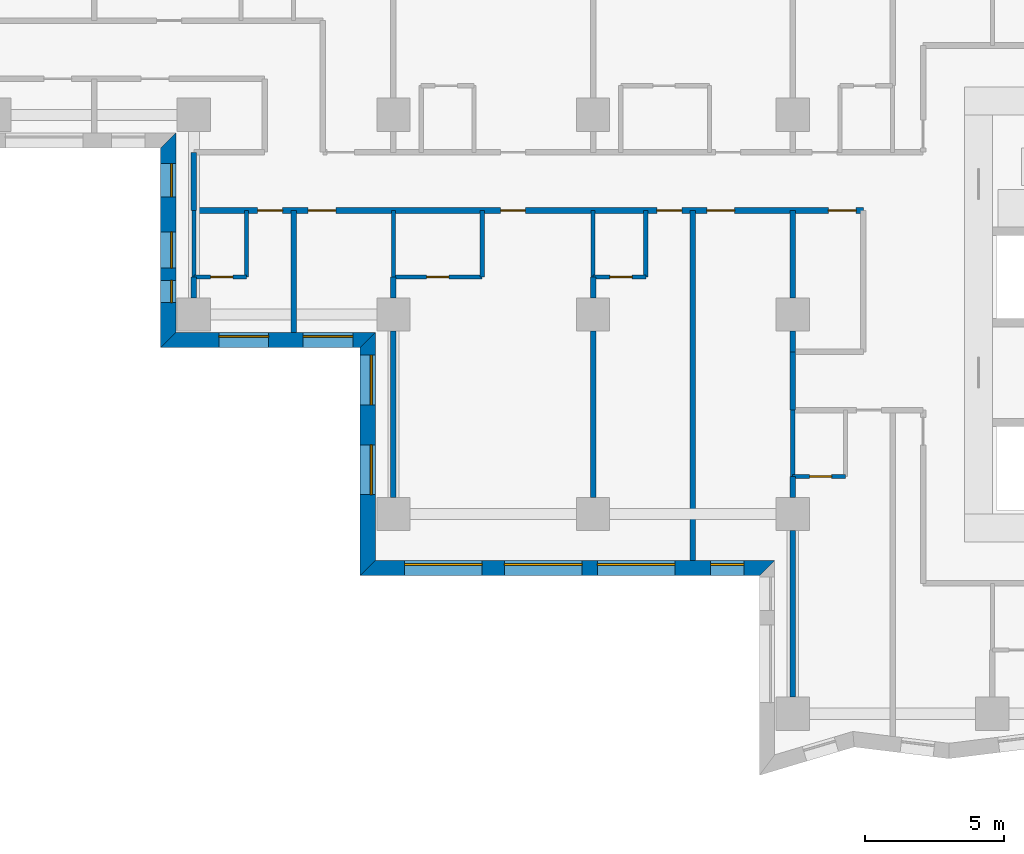
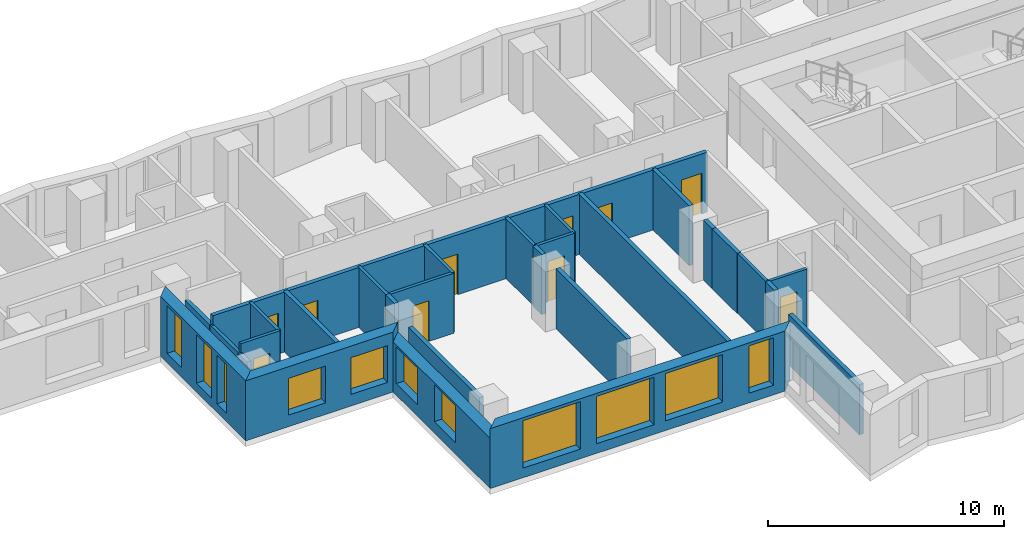
# One storey, part 3 of 13: 29 walls, 11 windows, 10 doors, 21 openings.
"""IFC4 building model written with IfcOpenShell, lengths in metres."""

from ifc_helpers import new_model, si_unit, direction, frame, frame_2d, origin, place, context, subcontext, project, spatial, polyline, rectangle, outline, extrude, material, layer, layer_set, type_object, element, fill, save


model = new_model("IFC4")

# Units and contexts
model_context = context("Model", 3, precision=1e-05, world=origin(), true_north=direction((0.0, 1.0)))
body_context = subcontext(model_context, "Body", "Model", "MODEL_VIEW")
ifc_project = project(units=[si_unit("LENGTHUNIT", "METRE"), si_unit("AREAUNIT", "SQUARE_METRE"), si_unit("VOLUMEUNIT", "CUBIC_METRE"), si_unit("PLANEANGLEUNIT", "RADIAN"), si_unit("MASSUNIT", "GRAM", prefix="KILO")], contexts=[model_context])

# Site, building, storey
site_placement = place(None, origin())
site = spatial("IfcSite", under=ifc_project, at=site_placement, CompositionType="ELEMENT")
building_placement = place(site_placement, origin())
building = spatial("IfcBuilding", under=site, at=building_placement, Name="Windrow Commons", CompositionType="ELEMENT")
storey_placement = place(building_placement, frame((0.0, 0.0, 40.6)))
storey = spatial("IfcBuildingStorey", under=building, at=storey_placement, Name="L10", CompositionType="ELEMENT", Elevation=40.6)

# Wall, openings, windows
ifc_material_1 = material(Name="Brick masonry, red clay brick", Category="masonry")
ifc_layer_1 = layer(ifc_material_1, 0.55)
ifc_layer_set_1 = layer_set([ifc_layer_1], Name="Brick facade wall 550")
wall_type_1 = type_object("IfcWallType", Name="Brick facade wall 550", PredefinedType="SOLIDWALL", material=ifc_layer_set_1)
wall_1_placement = place(storey_placement, frame((27.875, 63.875, 0.0), z_axis=(0.0, 0.0, 1.0), x_axis=(0.0, -1.0, 0.0)))
wall_1 = element("IfcWall", 1, at=wall_1_placement, inside=storey, type_object=wall_type_1, Name="Brick facade wall L10 41", PredefinedType="SOLIDWALL", context=body_context, shape_type="SweptSolid", body=[
    extrude(outline(polyline([(0.275, -0.275), (7.475, -0.275), (6.925, 0.275), (-0.275, 0.275), (0.275, -0.275)])), origin(), (0.0, 0.0, 1.0), 3.1),
])
opening_1_placement = place(wall_1_placement, frame((0.8375, 0.0, 0.5)))
opening_1 = element("IfcOpeningElement", 2, at=opening_1_placement, cuts=wall_1, Name="Opening W7D", PredefinedType="OPENING", context=body_context, shape_type="SweptSolid", body=[
    extrude(rectangle(XDim=1.2, YDim=2.45, at=frame_2d((0.6, 1.225))), frame((0.0, 0.285, 0.0), z_axis=(0.0, -1.0, 0.0), x_axis=(1.0, 0.0, 0.0)), (0.0, 0.0, 1.0), 0.57),
])
opening_2_placement = place(wall_1_placement, frame((3.3, 0.0, 0.45)))
opening_2 = element("IfcOpeningElement", 3, at=opening_2_placement, cuts=wall_1, Name="Opening W1Q", PredefinedType="OPENING", context=body_context, shape_type="SweptSolid", body=[
    extrude(rectangle(XDim=1.3, YDim=2.5, at=frame_2d((0.65, 1.25))), frame((0.0, 0.285, 0.0), z_axis=(0.0, -1.0, 0.0), x_axis=(1.0, 0.0, 0.0)), (0.0, 0.0, 1.0), 0.57),
])
opening_3_placement = place(wall_1_placement, frame((5.05, 0.0, 0.45)))
opening_3 = element("IfcOpeningElement", 4, at=opening_3_placement, cuts=wall_1, Name="Opening W1N", PredefinedType="OPENING", context=body_context, shape_type="SweptSolid", body=[
    extrude(rectangle(XDim=0.8, YDim=2.5, at=frame_2d((0.4, 1.25))), frame((0.0, 0.285, 0.0), z_axis=(0.0, -1.0, 0.0), x_axis=(1.0, 0.0, 0.0)), (0.0, 0.0, 1.0), 0.57),
])
ifc_material_2 = material(Name="Clear float glass in anodised aluminium frame", Category="aluminium")
window_type_1 = type_object("IfcWindowType", Name="Window W1N slit 800x2500", PartitioningType="SINGLE_PANEL", PredefinedType="WINDOW", material=ifc_material_2)
window_1_placement = place(opening_3_placement, origin())
window_1 = element("IfcWindow", 5, at=window_1_placement, inside=storey, type_object=window_type_1, Name="Window L10 41.1B", OverallHeight=2.5, OverallWidth=0.8, PartitioningType="SINGLE_PANEL", PredefinedType="WINDOW", context=body_context, shape_type="SweptSolid", body=[
    extrude(rectangle(XDim=0.8, YDim=2.5, at=frame_2d((0.4, 1.25))), frame((0.0, 0.155, 0.0), z_axis=(0.0, -1.0, 0.0), x_axis=(1.0, 0.0, 0.0)), (0.0, 0.0, 1.0), 0.06),
])
fill(opening_3, window_1)
ifc_material_3 = material(Name="Clear float glass in anodised aluminium frame", Category="aluminium")
window_type_2 = type_object("IfcWindowType", Name="Window W1Q pair 1300x2500", PartitioningType="SINGLE_PANEL", PredefinedType="WINDOW", material=ifc_material_3)
window_2_placement = place(opening_2_placement, origin())
window_2 = element("IfcWindow", 6, at=window_2_placement, inside=storey, type_object=window_type_2, Name="Window L10 41.1A", OverallHeight=2.5, OverallWidth=1.3, PartitioningType="SINGLE_PANEL", PredefinedType="WINDOW", context=body_context, shape_type="SweptSolid", body=[
    extrude(rectangle(XDim=1.3, YDim=2.5, at=frame_2d((0.65, 1.25))), frame((0.0, 0.155, 0.0), z_axis=(0.0, -1.0, 0.0), x_axis=(1.0, 0.0, 0.0)), (0.0, 0.0, 1.0), 0.06),
])
fill(opening_2, window_2)
ifc_material_4 = material(Name="Clear float glass in anodised aluminium frame", Category="aluminium")
window_type_3 = type_object("IfcWindowType", Name="Window W7 notch 1200x2450", PartitioningType="SINGLE_PANEL", PredefinedType="WINDOW", material=ifc_material_4)
window_3_placement = place(opening_1_placement, origin())
window_3 = element("IfcWindow", 7, at=window_3_placement, inside=storey, type_object=window_type_3, Name="Window L10 41.2", OverallHeight=2.45, OverallWidth=1.2, PartitioningType="SINGLE_PANEL", PredefinedType="WINDOW", context=body_context, shape_type="SweptSolid", body=[
    extrude(rectangle(XDim=1.2, YDim=2.45, at=frame_2d((0.6, 1.225))), frame((0.0, 0.155, 0.0), z_axis=(0.0, -1.0, 0.0), x_axis=(1.0, 0.0, 0.0)), (0.0, 0.0, 1.0), 0.06),
])
fill(opening_1, window_3)

wall_2_placement = place(storey_placement, frame((27.875, 56.675, 0.0), z_axis=(0.0, 0.0, 1.0), x_axis=(1.0, 0.0, 0.0)))
wall_2 = element("IfcWall", 8, at=wall_2_placement, inside=storey, type_object=wall_type_1, Name="Brick facade wall L10 42", PredefinedType="SOLIDWALL", context=body_context, shape_type="SweptSolid", body=[
    extrude(outline(polyline([(-0.275, -0.275), (6.925, -0.275), (7.475, 0.275), (0.275, 0.275), (-0.275, -0.275)])), origin(), (0.0, 0.0, 1.0), 3.1),
])
opening_4_placement = place(wall_2_placement, frame((1.825, 0.0, 0.6)))
opening_4 = element("IfcOpeningElement", 9, at=opening_4_placement, cuts=wall_2, Name="Opening W1L", PredefinedType="OPENING", context=body_context, shape_type="SweptSolid", body=[
    extrude(rectangle(XDim=1.8, YDim=1.9, at=frame_2d((0.9, 0.95))), frame((0.0, 0.285, 0.0), z_axis=(0.0, -1.0, 0.0), x_axis=(1.0, 0.0, 0.0)), (0.0, 0.0, 1.0), 0.57),
])
opening_5_placement = place(wall_2_placement, frame((4.8625, 0.0, 0.6)))
opening_5 = element("IfcOpeningElement", 10, at=opening_5_placement, cuts=wall_2, Name="Opening W1L", PredefinedType="OPENING", context=body_context, shape_type="SweptSolid", body=[
    extrude(rectangle(XDim=1.8, YDim=1.9, at=frame_2d((0.9, 0.95))), frame((0.0, 0.285, 0.0), z_axis=(0.0, -1.0, 0.0), x_axis=(1.0, 0.0, 0.0)), (0.0, 0.0, 1.0), 0.57),
])
ifc_material_5 = material(Name="Clear float glass in anodised aluminium frame", Category="aluminium")
window_type_4 = type_object("IfcWindowType", Name="Window W1L bedroom 1800x1900", PartitioningType="SINGLE_PANEL", PredefinedType="WINDOW", material=ifc_material_5)
window_4_placement = place(opening_4_placement, origin())
window_4 = element("IfcWindow", 11, at=window_4_placement, inside=storey, type_object=window_type_4, Name="Window L10 42.1", OverallHeight=1.9, OverallWidth=1.8, PartitioningType="SINGLE_PANEL", PredefinedType="WINDOW", context=body_context, shape_type="SweptSolid", body=[
    extrude(rectangle(XDim=1.8, YDim=1.9, at=frame_2d((0.9, 0.95))), frame((0.0, 0.155, 0.0), z_axis=(0.0, -1.0, 0.0), x_axis=(1.0, 0.0, 0.0)), (0.0, 0.0, 1.0), 0.06),
])
fill(opening_4, window_4)
window_5_placement = place(opening_5_placement, origin())
window_5 = element("IfcWindow", 12, at=window_5_placement, inside=storey, type_object=window_type_4, Name="Window L10 42.2", OverallHeight=1.9, OverallWidth=1.8, PartitioningType="SINGLE_PANEL", PredefinedType="WINDOW", context=body_context, shape_type="SweptSolid", body=[
    extrude(rectangle(XDim=1.8, YDim=1.9, at=frame_2d((0.9, 0.95))), frame((0.0, 0.155, 0.0), z_axis=(0.0, -1.0, 0.0), x_axis=(1.0, 0.0, 0.0)), (0.0, 0.0, 1.0), 0.06),
])
fill(opening_5, window_5)

wall_3_placement = place(storey_placement, frame((35.075, 56.675, 0.0), z_axis=(0.0, 0.0, 1.0), x_axis=(0.0, -1.0, 0.0)))
wall_3 = element("IfcWall", 13, at=wall_3_placement, inside=storey, type_object=wall_type_1, Name="Brick facade wall L10 43", PredefinedType="SOLIDWALL", context=body_context, shape_type="SweptSolid", body=[
    extrude(outline(polyline([(0.275, -0.275), (8.496, -0.275), (7.946, 0.275), (-0.275, 0.275), (0.275, -0.275)])), origin(), (0.0, 0.0, 1.0), 2.6),
])
opening_6_placement = place(wall_3_placement, frame((0.5375, 0.0, 0.6)))
opening_6 = element("IfcOpeningElement", 14, at=opening_6_placement, cuts=wall_3, Name="Opening W1L", PredefinedType="OPENING", context=body_context, shape_type="SweptSolid", body=[
    extrude(rectangle(XDim=1.8, YDim=1.9, at=frame_2d((0.9, 0.95))), frame((0.0, 0.285, 0.0), z_axis=(0.0, -1.0, 0.0), x_axis=(1.0, 0.0, 0.0)), (0.0, 0.0, 1.0), 0.57),
])
opening_7_placement = place(wall_3_placement, frame((3.775, 0.0, 0.6)))
opening_7 = element("IfcOpeningElement", 15, at=opening_7_placement, cuts=wall_3, Name="Opening W1L", PredefinedType="OPENING", context=body_context, shape_type="SweptSolid", body=[
    extrude(rectangle(XDim=1.8, YDim=1.9, at=frame_2d((0.9, 0.95))), frame((0.0, 0.285, 0.0), z_axis=(0.0, -1.0, 0.0), x_axis=(1.0, 0.0, 0.0)), (0.0, 0.0, 1.0), 0.57),
])
window_6_placement = place(opening_6_placement, origin())
window_6 = element("IfcWindow", 16, at=window_6_placement, inside=storey, type_object=window_type_4, Name="Window L10 43.1", OverallHeight=1.9, OverallWidth=1.8, PartitioningType="SINGLE_PANEL", PredefinedType="WINDOW", context=body_context, shape_type="SweptSolid", body=[
    extrude(rectangle(XDim=1.8, YDim=1.9, at=frame_2d((0.9, 0.95))), frame((0.0, 0.155, 0.0), z_axis=(0.0, -1.0, 0.0), x_axis=(1.0, 0.0, 0.0)), (0.0, 0.0, 1.0), 0.06),
])
fill(opening_6, window_6)
window_7_placement = place(opening_7_placement, origin())
window_7 = element("IfcWindow", 17, at=window_7_placement, inside=storey, type_object=window_type_4, Name="Window L10 43.2", OverallHeight=1.9, OverallWidth=1.8, PartitioningType="SINGLE_PANEL", PredefinedType="WINDOW", context=body_context, shape_type="SweptSolid", body=[
    extrude(rectangle(XDim=1.8, YDim=1.9, at=frame_2d((0.9, 0.95))), frame((0.0, 0.155, 0.0), z_axis=(0.0, -1.0, 0.0), x_axis=(1.0, 0.0, 0.0)), (0.0, 0.0, 1.0), 0.06),
])
fill(opening_7, window_7)

wall_4_placement = place(storey_placement, frame((35.075, 48.454, 0.0), z_axis=(0.0, 0.0, 1.0), x_axis=(1.0, 0.0, 0.0)))
wall_4 = element("IfcWall", 18, at=wall_4_placement, inside=storey, type_object=wall_type_1, Name="Brick facade wall L10 44", PredefinedType="SOLIDWALL", context=body_context, shape_type="SweptSolid", body=[
    extrude(outline(polyline([(-0.275, -0.275), (14.125, -0.275), (14.675, 0.275), (0.275, 0.275), (-0.275, -0.275)])), origin(), (0.0, 0.0, 1.0), 3.1),
])
opening_8_placement = place(wall_4_placement, frame((1.325, 0.0, 0.5)))
opening_8 = element("IfcOpeningElement", 19, at=opening_8_placement, cuts=wall_4, Name="Opening W1T", PredefinedType="OPENING", context=body_context, shape_type="SweptSolid", body=[
    extrude(rectangle(XDim=2.8, YDim=2.45, at=frame_2d((1.4, 1.225))), frame((0.0, 0.285, 0.0), z_axis=(0.0, -1.0, 0.0), x_axis=(1.0, 0.0, 0.0)), (0.0, 0.0, 1.0), 0.57),
])
opening_9_placement = place(wall_4_placement, frame((4.925, 0.0, 0.5)))
opening_9 = element("IfcOpeningElement", 20, at=opening_9_placement, cuts=wall_4, Name="Opening W1T", PredefinedType="OPENING", context=body_context, shape_type="SweptSolid", body=[
    extrude(rectangle(XDim=2.8, YDim=2.45, at=frame_2d((1.4, 1.225))), frame((0.0, 0.285, 0.0), z_axis=(0.0, -1.0, 0.0), x_axis=(1.0, 0.0, 0.0)), (0.0, 0.0, 1.0), 0.57),
])
opening_10_placement = place(wall_4_placement, frame((8.275, 0.0, 0.5)))
opening_10 = element("IfcOpeningElement", 21, at=opening_10_placement, cuts=wall_4, Name="Opening W1T", PredefinedType="OPENING", context=body_context, shape_type="SweptSolid", body=[
    extrude(rectangle(XDim=2.8, YDim=2.45, at=frame_2d((1.4, 1.225))), frame((0.0, 0.285, 0.0), z_axis=(0.0, -1.0, 0.0), x_axis=(1.0, 0.0, 0.0)), (0.0, 0.0, 1.0), 0.57),
])
opening_11_placement = place(wall_4_placement, frame((12.3625, 0.0, 0.5)))
opening_11 = element("IfcOpeningElement", 22, at=opening_11_placement, cuts=wall_4, Name="Opening W7D", PredefinedType="OPENING", context=body_context, shape_type="SweptSolid", body=[
    extrude(rectangle(XDim=1.2, YDim=2.45, at=frame_2d((0.6, 1.225))), frame((0.0, 0.285, 0.0), z_axis=(0.0, -1.0, 0.0), x_axis=(1.0, 0.0, 0.0)), (0.0, 0.0, 1.0), 0.57),
])
ifc_material_6 = material(Name="Clear float glass in anodised aluminium frame", Category="aluminium")
window_type_5 = type_object("IfcWindowType", Name="Window W1T bedroom 2800x2450", PartitioningType="SINGLE_PANEL", PredefinedType="WINDOW", material=ifc_material_6)
window_8_placement = place(opening_8_placement, origin())
window_8 = element("IfcWindow", 23, at=window_8_placement, inside=storey, type_object=window_type_5, Name="Window L10 44.1", OverallHeight=2.45, OverallWidth=2.8, PartitioningType="SINGLE_PANEL", PredefinedType="WINDOW", context=body_context, shape_type="SweptSolid", body=[
    extrude(rectangle(XDim=2.8, YDim=2.45, at=frame_2d((1.4, 1.225))), frame((0.0, 0.155, 0.0), z_axis=(0.0, -1.0, 0.0), x_axis=(1.0, 0.0, 0.0)), (0.0, 0.0, 1.0), 0.06),
])
fill(opening_8, window_8)
window_9_placement = place(opening_9_placement, origin())
window_9 = element("IfcWindow", 24, at=window_9_placement, inside=storey, type_object=window_type_5, Name="Window L10 44.2", OverallHeight=2.45, OverallWidth=2.8, PartitioningType="SINGLE_PANEL", PredefinedType="WINDOW", context=body_context, shape_type="SweptSolid", body=[
    extrude(rectangle(XDim=2.8, YDim=2.45, at=frame_2d((1.4, 1.225))), frame((0.0, 0.155, 0.0), z_axis=(0.0, -1.0, 0.0), x_axis=(1.0, 0.0, 0.0)), (0.0, 0.0, 1.0), 0.06),
])
fill(opening_9, window_9)
window_10_placement = place(opening_10_placement, origin())
window_10 = element("IfcWindow", 25, at=window_10_placement, inside=storey, type_object=window_type_5, Name="Window L10 44.3", OverallHeight=2.45, OverallWidth=2.8, PartitioningType="SINGLE_PANEL", PredefinedType="WINDOW", context=body_context, shape_type="SweptSolid", body=[
    extrude(rectangle(XDim=2.8, YDim=2.45, at=frame_2d((1.4, 1.225))), frame((0.0, 0.155, 0.0), z_axis=(0.0, -1.0, 0.0), x_axis=(1.0, 0.0, 0.0)), (0.0, 0.0, 1.0), 0.06),
])
fill(opening_10, window_10)
window_11_placement = place(opening_11_placement, origin())
window_11 = element("IfcWindow", 26, at=window_11_placement, inside=storey, type_object=window_type_3, Name="Window L10 44.4", OverallHeight=2.45, OverallWidth=1.2, PartitioningType="SINGLE_PANEL", PredefinedType="WINDOW", context=body_context, shape_type="SweptSolid", body=[
    extrude(rectangle(XDim=1.2, YDim=2.45, at=frame_2d((0.6, 1.225))), frame((0.0, 0.155, 0.0), z_axis=(0.0, -1.0, 0.0), x_axis=(1.0, 0.0, 0.0)), (0.0, 0.0, 1.0), 0.06),
])
fill(opening_11, window_11)

# Wall, openings, doors
ifc_material_7 = material(Name="Blockwork partition", Category="masonry")
ifc_layer_2 = layer(ifc_material_7, 0.2)
ifc_layer_set_2 = layer_set([ifc_layer_2], Name="IW-CORRIDOR-200")
wall_type_2 = type_object("IfcWallType", Name="IW-CORRIDOR-200", PredefinedType="PARTITIONING", material=ifc_layer_set_2)
wall_5_placement = place(storey_placement, frame((28.8, 61.35, 0.0), z_axis=(0.0, 0.0, 1.0), x_axis=(1.0, 0.0, 0.0)))
wall_5 = element("IfcWall", 27, at=wall_5_placement, inside=storey, type_object=wall_type_2, Name="W-L10-W000", PredefinedType="PARTITIONING", context=body_context, shape_type="SweptSolid", body=[
    extrude(rectangle(XDim=24.15, YDim=0.2, at=frame_2d((12.075, 0.0))), origin(), (0.0, 0.0, 1.0), 3.1),
])
opening_12_placement = place(wall_5_placement, frame((2.3, 0.0, 0.0)))
opening_12 = element("IfcOpeningElement", 28, at=opening_12_placement, cuts=wall_5, Name="Opening D109S", PredefinedType="OPENING", context=body_context, shape_type="SweptSolid", body=[
    extrude(rectangle(XDim=0.9, YDim=2.1, at=frame_2d((0.45, 1.05))), frame((0.0, 0.11, 0.0), z_axis=(0.0, -1.0, 0.0), x_axis=(1.0, 0.0, 0.0)), (0.0, 0.0, 1.0), 0.22),
])
opening_13_placement = place(wall_5_placement, frame((4.125, 0.0, 0.0)))
opening_13 = element("IfcOpeningElement", 29, at=opening_13_placement, cuts=wall_5, Name="Opening D310F", PredefinedType="OPENING", context=body_context, shape_type="SweptSolid", body=[
    extrude(rectangle(XDim=1.0, YDim=2.1, at=frame_2d((0.5, 1.05))), frame((0.0, 0.11, 0.0), z_axis=(0.0, -1.0, 0.0), x_axis=(1.0, 0.0, 0.0)), (0.0, 0.0, 1.0), 0.22),
])
opening_14_placement = place(wall_5_placement, frame((11.0607, 0.0, 0.0)))
opening_14 = element("IfcOpeningElement", 30, at=opening_14_placement, cuts=wall_5, Name="Opening D109F", PredefinedType="OPENING", context=body_context, shape_type="SweptSolid", body=[
    extrude(rectangle(XDim=0.9, YDim=2.1, at=frame_2d((0.45, 1.05))), frame((0.0, 0.11, 0.0), z_axis=(0.0, -1.0, 0.0), x_axis=(1.0, 0.0, 0.0)), (0.0, 0.0, 1.0), 0.22),
])
opening_15_placement = place(wall_5_placement, frame((16.7, 0.0, 0.0)))
opening_15 = element("IfcOpeningElement", 31, at=opening_15_placement, cuts=wall_5, Name="Opening D109S", PredefinedType="OPENING", context=body_context, shape_type="SweptSolid", body=[
    extrude(rectangle(XDim=0.9, YDim=2.1, at=frame_2d((0.45, 1.05))), frame((0.0, 0.11, 0.0), z_axis=(0.0, -1.0, 0.0), x_axis=(1.0, 0.0, 0.0)), (0.0, 0.0, 1.0), 0.22),
])
opening_16_placement = place(wall_5_placement, frame((18.5075, 0.0, 0.0)))
opening_16 = element("IfcOpeningElement", 32, at=opening_16_placement, cuts=wall_5, Name="Opening D310F", PredefinedType="OPENING", context=body_context, shape_type="SweptSolid", body=[
    extrude(rectangle(XDim=1.0, YDim=2.1, at=frame_2d((0.5, 1.05))), frame((0.0, 0.11, 0.0), z_axis=(0.0, -1.0, 0.0), x_axis=(1.0, 0.0, 0.0)), (0.0, 0.0, 1.0), 0.22),
])
opening_17_placement = place(wall_5_placement, frame((22.8824, 0.0, 0.0)))
opening_17 = element("IfcOpeningElement", 33, at=opening_17_placement, cuts=wall_5, Name="Opening D310F", PredefinedType="OPENING", context=body_context, shape_type="SweptSolid", body=[
    extrude(rectangle(XDim=1.0, YDim=2.1, at=frame_2d((0.5, 1.05))), frame((0.0, 0.11, 0.0), z_axis=(0.0, -1.0, 0.0), x_axis=(1.0, 0.0, 0.0)), (0.0, 0.0, 1.0), 0.22),
])
ifc_material_8 = material(Name="Timber door leaf", Category="wood")
door_type_1 = type_object("IfcDoorType", Name="DT-AMENITY-1000", OperationType="SINGLE_SWING_LEFT", PredefinedType="DOOR", material=ifc_material_8)
door_1_placement = place(opening_13_placement, origin())
door_1 = element("IfcDoor", 34, at=door_1_placement, inside=storey, type_object=door_type_1, Name="D-L10-D007", OperationType="SINGLE_SWING_RIGHT", OverallHeight=2.1, OverallWidth=1.0, PredefinedType="DOOR", context=body_context, shape_type="SweptSolid", body=[
    extrude(rectangle(XDim=1.0, YDim=2.1, at=frame_2d((0.5, 1.05))), frame((0.0, 0.025, 0.0), z_axis=(0.0, -1.0, 0.0), x_axis=(1.0, 0.0, 0.0)), (0.0, 0.0, 1.0), 0.05),
])
fill(opening_13, door_1)
door_2_placement = place(opening_16_placement, origin())
door_2 = element("IfcDoor", 35, at=door_2_placement, inside=storey, type_object=door_type_1, Name="D-L10-D023", OperationType="SINGLE_SWING_RIGHT", OverallHeight=2.1, OverallWidth=1.0, PredefinedType="DOOR", context=body_context, shape_type="SweptSolid", body=[
    extrude(rectangle(XDim=1.0, YDim=2.1, at=frame_2d((0.5, 1.05))), frame((0.0, 0.025, 0.0), z_axis=(0.0, -1.0, 0.0), x_axis=(1.0, 0.0, 0.0)), (0.0, 0.0, 1.0), 0.05),
])
fill(opening_16, door_2)
door_3_placement = place(opening_17_placement, origin())
door_3 = element("IfcDoor", 36, at=door_3_placement, inside=storey, type_object=door_type_1, Name="D-L10-D024", OperationType="SINGLE_SWING_LEFT", OverallHeight=2.1, OverallWidth=1.0, PredefinedType="DOOR", context=body_context, shape_type="SweptSolid", body=[
    extrude(rectangle(XDim=1.0, YDim=2.1, at=frame_2d((0.5, 1.05))), frame((0.0, 0.025, 0.0), z_axis=(0.0, -1.0, 0.0), x_axis=(1.0, 0.0, 0.0)), (0.0, 0.0, 1.0), 0.05),
])
fill(opening_17, door_3)
ifc_material_9 = material(Name="Timber door leaf", Category="wood")
door_type_2 = type_object("IfcDoorType", Name="DT-BEDROOM-900", OperationType="SINGLE_SWING_LEFT", PredefinedType="DOOR", material=ifc_material_9)
door_4_placement = place(opening_12_placement, origin())
door_4 = element("IfcDoor", 37, at=door_4_placement, inside=storey, type_object=door_type_2, Name="D-L10-D005", OperationType="SINGLE_SWING_LEFT", OverallHeight=2.1, OverallWidth=0.9, PredefinedType="DOOR", context=body_context, shape_type="SweptSolid", body=[
    extrude(rectangle(XDim=0.9, YDim=2.1, at=frame_2d((0.45, 1.05))), frame((0.0, 0.025, 0.0), z_axis=(0.0, -1.0, 0.0), x_axis=(1.0, 0.0, 0.0)), (0.0, 0.0, 1.0), 0.05),
])
fill(opening_12, door_4)
door_5_placement = place(opening_14_placement, origin())
door_5 = element("IfcDoor", 38, at=door_5_placement, inside=storey, type_object=door_type_2, Name="D-L10-D008", OperationType="SINGLE_SWING_LEFT", OverallHeight=2.1, OverallWidth=0.9, PredefinedType="DOOR", context=body_context, shape_type="SweptSolid", body=[
    extrude(rectangle(XDim=0.9, YDim=2.1, at=frame_2d((0.45, 1.05))), frame((0.0, 0.025, 0.0), z_axis=(0.0, -1.0, 0.0), x_axis=(1.0, 0.0, 0.0)), (0.0, 0.0, 1.0), 0.05),
])
fill(opening_14, door_5)
door_6_placement = place(opening_15_placement, origin())
door_6 = element("IfcDoor", 39, at=door_6_placement, inside=storey, type_object=door_type_2, Name="D-L10-D010", OperationType="SINGLE_SWING_LEFT", OverallHeight=2.1, OverallWidth=0.9, PredefinedType="DOOR", context=body_context, shape_type="SweptSolid", body=[
    extrude(rectangle(XDim=0.9, YDim=2.1, at=frame_2d((0.45, 1.05))), frame((0.0, 0.025, 0.0), z_axis=(0.0, -1.0, 0.0), x_axis=(1.0, 0.0, 0.0)), (0.0, 0.0, 1.0), 0.05),
])
fill(opening_15, door_6)

# Walls
wall_6_placement = place(storey_placement, frame((28.8, 61.35, 0.0), z_axis=(0.0, 0.0, 1.0), x_axis=(0.0, 1.0, 0.0)))
element("IfcWall", 40, at=wall_6_placement, inside=storey, type_object=wall_type_2, Name="W-L10-W116", PredefinedType="PARTITIONING", context=body_context, shape_type="SweptSolid", body=[
    extrude(rectangle(XDim=2.1, YDim=0.2, at=frame_2d((1.05, 0.0))), origin(), (0.0, 0.0, 1.0), 2.6),
])
wall_7_placement = place(storey_placement, frame((50.4, 54.15, 0.0), z_axis=(0.0, 0.0, 1.0), x_axis=(0.0, 1.0, 0.0)))
element("IfcWall", 41, at=wall_7_placement, inside=storey, type_object=wall_type_2, Name="W-L10-W117", PredefinedType="PARTITIONING", context=body_context, shape_type="SweptSolid", body=[
    extrude(rectangle(XDim=2.1, YDim=0.2, at=frame_2d((1.05, 0.0))), origin(), (0.0, 0.0, 1.0), 3.1),
])

# Wall, opening, door
ifc_material_10 = material(Name="Blockwork partition", Category="masonry")
ifc_layer_3 = layer(ifc_material_10, 0.15)
ifc_layer_set_3 = layer_set([ifc_layer_3], Name="IW-ENSUITE-150")
wall_type_3 = type_object("IfcWallType", Name="IW-ENSUITE-150", PredefinedType="PARTITIONING", material=ifc_layer_set_3)
wall_8_placement = place(storey_placement, frame((36.0, 58.95, 0.0), z_axis=(0.0, 0.0, 1.0), x_axis=(1.0, 0.0, 0.0)))
wall_8 = element("IfcWall", 42, at=wall_8_placement, inside=storey, type_object=wall_type_3, Name="W-L10-W060", PredefinedType="PARTITIONING", context=body_context, shape_type="SweptSolid", body=[
    extrude(rectangle(XDim=3.2, YDim=0.15, at=frame_2d((1.6, 0.0))), origin(), (0.0, 0.0, 1.0), 3.1),
])
opening_18_placement = place(wall_8_placement, frame((1.1958, 0.0, 0.0)))
opening_18 = element("IfcOpeningElement", 43, at=opening_18_placement, cuts=wall_8, Name="Opening D208N", PredefinedType="OPENING", context=body_context, shape_type="SweptSolid", body=[
    extrude(rectangle(XDim=0.8, YDim=2.1, at=frame_2d((0.4, 1.05))), frame((0.0, 0.085, 0.0), z_axis=(0.0, -1.0, 0.0), x_axis=(1.0, 0.0, 0.0)), (0.0, 0.0, 1.0), 0.17),
])
ifc_material_11 = material(Name="Timber door leaf", Category="wood")
door_type_3 = type_object("IfcDoorType", Name="DT-ENSUITE-800", OperationType="SINGLE_SWING_LEFT", PredefinedType="DOOR", material=ifc_material_11)
door_7_placement = place(opening_18_placement, origin())
door_7 = element("IfcDoor", 44, at=door_7_placement, inside=storey, type_object=door_type_3, Name="D-L10-D009", OperationType="SINGLE_SWING_RIGHT", OverallHeight=2.1, OverallWidth=0.8, PredefinedType="DOOR", context=body_context, shape_type="SweptSolid", body=[
    extrude(rectangle(XDim=0.8, YDim=2.1, at=frame_2d((0.4, 1.05))), frame((0.0, 0.025, 0.0), z_axis=(0.0, -1.0, 0.0), x_axis=(1.0, 0.0, 0.0)), (0.0, 0.0, 1.0), 0.05),
])
fill(opening_18, door_7)

# Walls
wall_9_placement = place(storey_placement, frame((30.7, 58.95, 0.0), z_axis=(0.0, 0.0, 1.0), x_axis=(0.0, 1.0, 0.0)))
element("IfcWall", 45, at=wall_9_placement, inside=storey, type_object=wall_type_3, Name="W-L10-W080", PredefinedType="PARTITIONING", context=body_context, shape_type="SweptSolid", body=[
    extrude(rectangle(XDim=2.4, YDim=0.15, at=frame_2d((1.2, 0.0))), origin(), (0.0, 0.0, 1.0), 3.1),
])
wall_10_placement = place(storey_placement, frame((28.8, 58.95, 0.0), z_axis=(0.0, 0.0, 1.0), x_axis=(0.0, 1.0, 0.0)))
element("IfcWall", 46, at=wall_10_placement, inside=storey, type_object=wall_type_3, Name="W-L10-W081", PredefinedType="PARTITIONING", context=body_context, shape_type="SweptSolid", body=[
    extrude(rectangle(XDim=2.4, YDim=0.15, at=frame_2d((1.2, 0.0))), origin(), (0.0, 0.0, 1.0), 2.6),
])
for number, where, z_axis, x_axis, name in (
    (47, (39.2, 58.95, 0.0), (0.0, 0.0, 1.0), (0.0, 1.0, 0.0), "W-L10-W082"),
    (48, (36.0, 58.95, 0.0), (0.0, 0.0, 1.0), (0.0, 1.0, 0.0), "W-L10-W083"),
    (49, (45.1, 58.95, 0.0), (0.0, 0.0, 1.0), (0.0, 1.0, 0.0), "W-L10-W084"),
    (50, (43.2, 58.95, 0.0), (0.0, 0.0, 1.0), (0.0, 1.0, 0.0), "W-L10-W085"),
    (51, (50.4, 51.75, 0.0), (0.0, 0.0, 1.0), (0.0, 1.0, 0.0), "W-L10-W087"),
):
    element("IfcWall", number, at=place(storey_placement, frame(where, z_axis=z_axis, x_axis=x_axis)), inside=storey, type_object=wall_type_3, Name=name, PredefinedType="PARTITIONING", context=body_context, shape_type="SweptSolid", body=[
        extrude(rectangle(XDim=2.4, YDim=0.15, at=frame_2d((1.2, 0.0))), origin(), (0.0, 0.0, 1.0), 3.1),
    ])

# Wall, opening, door
wall_11_placement = place(storey_placement, frame((28.8, 58.95, 0.0), z_axis=(0.0, 0.0, 1.0), x_axis=(1.0, 0.0, 0.0)))
wall_11 = element("IfcWall", 52, at=wall_11_placement, inside=storey, type_object=wall_type_3, Name="W-L10-W129", PredefinedType="PARTITIONING", context=body_context, shape_type="SweptSolid", body=[
    extrude(rectangle(XDim=1.9, YDim=0.15, at=frame_2d((0.95, 0.0))), origin(), (0.0, 0.0, 1.0), 3.1),
])
opening_19_placement = place(wall_11_placement, frame((0.6069, 0.0, 0.0)))
opening_19 = element("IfcOpeningElement", 53, at=opening_19_placement, cuts=wall_11, Name="Opening D208N", PredefinedType="OPENING", context=body_context, shape_type="SweptSolid", body=[
    extrude(rectangle(XDim=0.8, YDim=2.1, at=frame_2d((0.4, 1.05))), frame((0.0, 0.085, 0.0), z_axis=(0.0, -1.0, 0.0), x_axis=(1.0, 0.0, 0.0)), (0.0, 0.0, 1.0), 0.17),
])
door_8_placement = place(opening_19_placement, origin())
door_8 = element("IfcDoor", 54, at=door_8_placement, inside=storey, type_object=door_type_3, Name="D-L10-D006", OperationType="SINGLE_SWING_RIGHT", OverallHeight=2.1, OverallWidth=0.8, PredefinedType="DOOR", context=body_context, shape_type="SweptSolid", body=[
    extrude(rectangle(XDim=0.8, YDim=2.1, at=frame_2d((0.4, 1.05))), frame((0.0, 0.025, 0.0), z_axis=(0.0, -1.0, 0.0), x_axis=(1.0, 0.0, 0.0)), (0.0, 0.0, 1.0), 0.05),
])
fill(opening_19, door_8)

wall_12_placement = place(storey_placement, frame((43.2, 58.95, 0.0), z_axis=(0.0, 0.0, 1.0), x_axis=(1.0, 0.0, 0.0)))
wall_12 = element("IfcWall", 55, at=wall_12_placement, inside=storey, type_object=wall_type_3, Name="W-L10-W130", PredefinedType="PARTITIONING", context=body_context, shape_type="SweptSolid", body=[
    extrude(rectangle(XDim=1.9, YDim=0.15, at=frame_2d((0.95, 0.0))), origin(), (0.0, 0.0, 1.0), 3.1),
])
opening_20_placement = place(wall_12_placement, frame((0.6069, 0.0, 0.0)))
opening_20 = element("IfcOpeningElement", 56, at=opening_20_placement, cuts=wall_12, Name="Opening D208N", PredefinedType="OPENING", context=body_context, shape_type="SweptSolid", body=[
    extrude(rectangle(XDim=0.8, YDim=2.1, at=frame_2d((0.4, 1.05))), frame((0.0, 0.085, 0.0), z_axis=(0.0, -1.0, 0.0), x_axis=(1.0, 0.0, 0.0)), (0.0, 0.0, 1.0), 0.17),
])
door_9_placement = place(opening_20_placement, origin())
door_9 = element("IfcDoor", 57, at=door_9_placement, inside=storey, type_object=door_type_3, Name="D-L10-D011", OperationType="SINGLE_SWING_RIGHT", OverallHeight=2.1, OverallWidth=0.8, PredefinedType="DOOR", context=body_context, shape_type="SweptSolid", body=[
    extrude(rectangle(XDim=0.8, YDim=2.1, at=frame_2d((0.4, 1.05))), frame((0.0, 0.025, 0.0), z_axis=(0.0, -1.0, 0.0), x_axis=(1.0, 0.0, 0.0)), (0.0, 0.0, 1.0), 0.05),
])
fill(opening_20, door_9)

wall_13_placement = place(storey_placement, frame((50.4, 51.75, 0.0), z_axis=(0.0, 0.0, 1.0), x_axis=(1.0, 0.0, 0.0)))
wall_13 = element("IfcWall", 58, at=wall_13_placement, inside=storey, type_object=wall_type_3, Name="W-L10-W134", PredefinedType="PARTITIONING", context=body_context, shape_type="SweptSolid", body=[
    extrude(rectangle(XDim=1.9, YDim=0.15, at=frame_2d((0.95, 0.0))), origin(), (0.0, 0.0, 1.0), 3.1),
])
opening_21_placement = place(wall_13_placement, frame((0.6069, 0.0, 0.0)))
opening_21 = element("IfcOpeningElement", 59, at=opening_21_placement, cuts=wall_13, Name="Opening D208N", PredefinedType="OPENING", context=body_context, shape_type="SweptSolid", body=[
    extrude(rectangle(XDim=0.8, YDim=2.1, at=frame_2d((0.4, 1.05))), frame((0.0, 0.085, 0.0), z_axis=(0.0, -1.0, 0.0), x_axis=(1.0, 0.0, 0.0)), (0.0, 0.0, 1.0), 0.17),
])
door_10_placement = place(opening_21_placement, origin())
door_10 = element("IfcDoor", 60, at=door_10_placement, inside=storey, type_object=door_type_3, Name="D-L10-D026", OperationType="SINGLE_SWING_RIGHT", OverallHeight=2.1, OverallWidth=0.8, PredefinedType="DOOR", context=body_context, shape_type="SweptSolid", body=[
    extrude(rectangle(XDim=0.8, YDim=2.1, at=frame_2d((0.4, 1.05))), frame((0.0, 0.025, 0.0), z_axis=(0.0, -1.0, 0.0), x_axis=(1.0, 0.0, 0.0)), (0.0, 0.0, 1.0), 0.05),
])
fill(opening_21, door_10)

# Walls
ifc_material_12 = material(Name="Blockwork partition", Category="masonry")
ifc_layer_4 = layer(ifc_material_12, 0.2)
ifc_layer_set_4 = layer_set([ifc_layer_4], Name="IW-PARTY-200")
wall_type_4 = type_object("IfcWallType", Name="IW-PARTY-200", PredefinedType="PARTITIONING", material=ifc_layer_set_4)
wall_14_placement = place(storey_placement, frame((46.8, 48.729, 0.0), z_axis=(0.0, 0.0, 1.0), x_axis=(0.0, 1.0, 0.0)))
element("IfcWall", 61, at=wall_14_placement, inside=storey, type_object=wall_type_4, Name="W-L10-W004", PredefinedType="PARTITIONING", context=body_context, shape_type="SweptSolid", body=[
    extrude(rectangle(XDim=12.621, YDim=0.2, at=frame_2d((6.3105, 0.0))), origin(), (0.0, 0.0, 1.0), 3.1),
])
wall_15_placement = place(storey_placement, frame((36.0, 51.0, 0.0), z_axis=(0.0, 0.0, 1.0), x_axis=(0.0, 1.0, 0.0)))
element("IfcWall", 62, at=wall_15_placement, inside=storey, type_object=wall_type_4, Name="W-L10-W024", PredefinedType="PARTITIONING", context=body_context, shape_type="SweptSolid", body=[
    extrude(rectangle(XDim=6.0, YDim=0.2, at=frame_2d((3.0, 0.0))), origin(), (0.0, 0.0, 1.0), 2.6),
])
wall_16_placement = place(storey_placement, frame((43.2, 51.0, 0.0), z_axis=(0.0, 0.0, 1.0), x_axis=(0.0, 1.0, 0.0)))
element("IfcWall", 63, at=wall_16_placement, inside=storey, type_object=wall_type_4, Name="W-L10-W026", PredefinedType="PARTITIONING", context=body_context, shape_type="SweptSolid", body=[
    extrude(rectangle(XDim=6.0, YDim=0.2, at=frame_2d((3.0, 0.0))), origin(), (0.0, 0.0, 1.0), 3.1),
])
wall_17_placement = place(storey_placement, frame((50.4, 43.8, 0.0), z_axis=(0.0, 0.0, 1.0), x_axis=(0.0, 1.0, 0.0)))
element("IfcWall", 64, at=wall_17_placement, inside=storey, type_object=wall_type_4, Name="W-L10-W028", PredefinedType="PARTITIONING", context=body_context, shape_type="SweptSolid", body=[
    extrude(rectangle(XDim=6.0, YDim=0.2, at=frame_2d((3.0, 0.0))), origin(), (0.0, 0.0, 1.0), 2.6),
])
wall_18_placement = place(storey_placement, frame((32.4, 56.95, 0.0), z_axis=(0.0, 0.0, 1.0), x_axis=(0.0, 1.0, 0.0)))
element("IfcWall", 65, at=wall_18_placement, inside=storey, type_object=wall_type_4, Name="W-L10-W046", PredefinedType="PARTITIONING", context=body_context, shape_type="SweptSolid", body=[
    extrude(rectangle(XDim=4.4, YDim=0.2, at=frame_2d((2.2, 0.0))), origin(), (0.0, 0.0, 1.0), 3.1),
])
wall_19_placement = place(storey_placement, frame((50.4, 58.2, 0.0), z_axis=(0.0, 0.0, 1.0), x_axis=(0.0, 1.0, 0.0)))
element("IfcWall", 66, at=wall_19_placement, inside=storey, type_object=wall_type_4, Name="W-L10-W062", PredefinedType="PARTITIONING", context=body_context, shape_type="SweptSolid", body=[
    extrude(rectangle(XDim=3.15, YDim=0.2, at=frame_2d((1.575, 0.0))), origin(), (0.0, 0.0, 1.0), 3.1),
])
wall_20_placement = place(storey_placement, frame((28.8, 58.2, 0.0), z_axis=(0.0, 0.0, 1.0), x_axis=(0.0, 1.0, 0.0)))
element("IfcWall", 67, at=wall_20_placement, inside=storey, type_object=wall_type_4, Name="W-L10-W156", PredefinedType="PARTITIONING", context=body_context, shape_type="SweptSolid", body=[
    extrude(rectangle(XDim=0.75, YDim=0.2, at=frame_2d((0.375, 0.0))), origin(), (0.0, 0.0, 1.0), 2.6),
])
for number, where, z_axis, x_axis, name in (
    (68, (36.0, 58.2, 0.0), (0.0, 0.0, 1.0), (0.0, 1.0, 0.0), "W-L10-W157"),
    (69, (43.2, 58.2, 0.0), (0.0, 0.0, 1.0), (0.0, 1.0, 0.0), "W-L10-W159"),
    (70, (50.4, 51.0, 0.0), (0.0, 0.0, 1.0), (0.0, 1.0, 0.0), "W-L10-W161"),
    (71, (50.4, 56.25, 0.0), (0.0, 0.0, 1.0), (0.0, 1.0, 0.0), "W-L10-W162"),
):
    element("IfcWall", number, at=place(storey_placement, frame(where, z_axis=z_axis, x_axis=x_axis)), inside=storey, type_object=wall_type_4, Name=name, PredefinedType="PARTITIONING", context=body_context, shape_type="SweptSolid", body=[
        extrude(rectangle(XDim=0.75, YDim=0.2, at=frame_2d((0.375, 0.0))), origin(), (0.0, 0.0, 1.0), 3.1),
    ])

save(model, "model.ifc")
